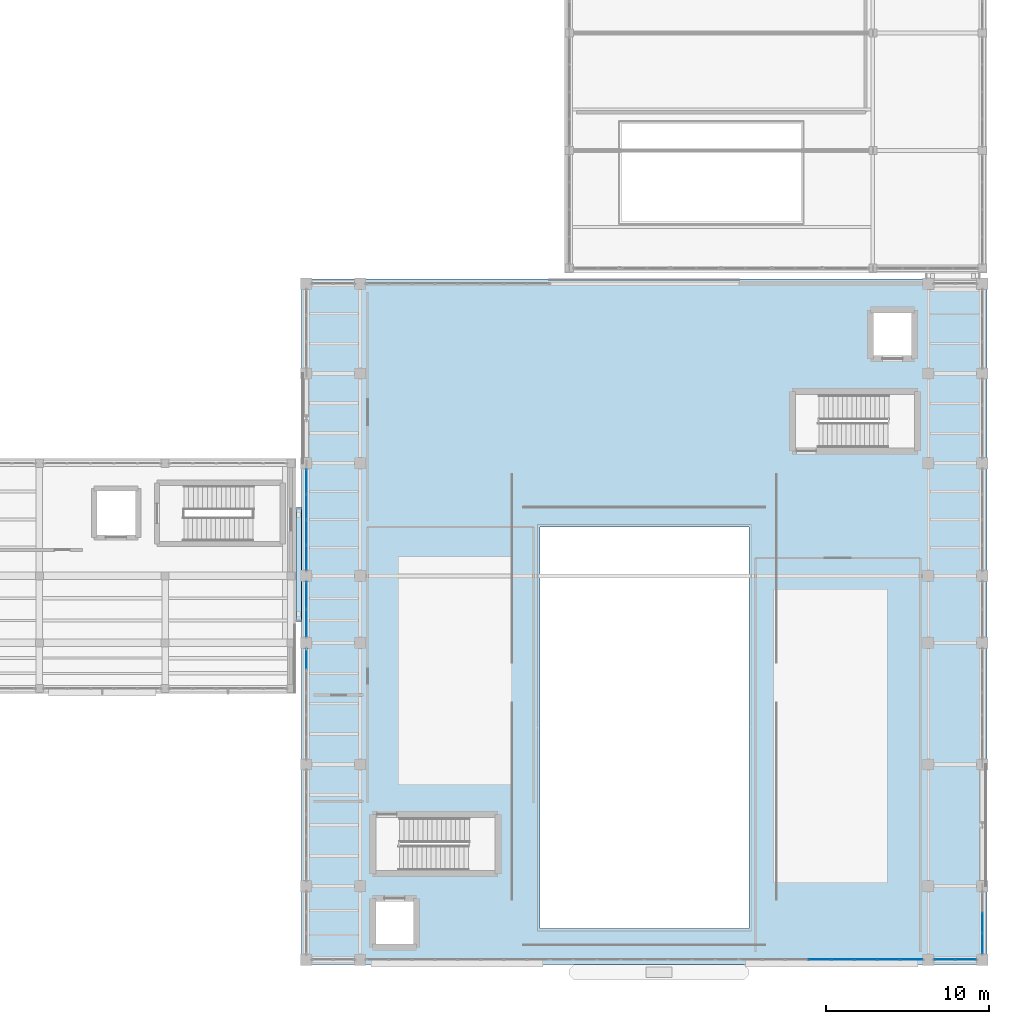
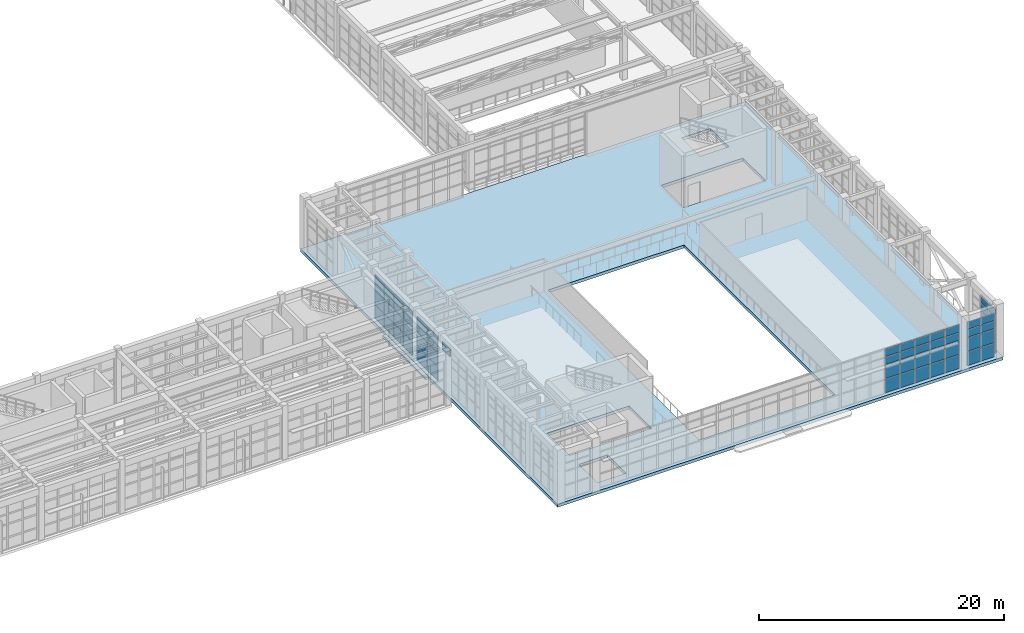
# One storey, part 75 of 103: 61 plates, 2 slabs, 6 elements without a shape of their own.
"""IFC4 building model written with IfcOpenShell, lengths in metres."""

from ifc_helpers import new_model, si_unit, direction, frame, origin, origin_2d, place, context, subcontext, project, spatial, polyline, rectangle, outline, extrude, material, layer, layer_set, type_object, element, aggregate, save


model = new_model("IFC4")

# Units and contexts
model_context = context("Model", 3, precision=1e-05, world=origin(), true_north=direction((0.0, 1.0)))
body_context = subcontext(model_context, "Body", "Model", "MODEL_VIEW")
ifc_project = project(units=[si_unit("LENGTHUNIT", "METRE"), si_unit("AREAUNIT", "SQUARE_METRE"), si_unit("VOLUMEUNIT", "CUBIC_METRE"), si_unit("PLANEANGLEUNIT", "RADIAN"), si_unit("MASSUNIT", "GRAM", prefix="KILO")], contexts=[model_context])

# Site, building, storey
site_placement = place(None, origin())
site = spatial("IfcSite", under=ifc_project, at=site_placement, CompositionType="ELEMENT")
building_placement = place(site_placement, origin())
building = spatial("IfcBuilding", under=site, at=building_placement, Name="Candilejo Ridge Gondola Terminal", CompositionType="ELEMENT")
storey_placement = place(building_placement, frame((0.0, 0.0, 9.0)))
storey = spatial("IfcBuildingStorey", under=building, at=storey_placement, Name="L02", CompositionType="ELEMENT", Elevation=9.0)

# Curtain wall, plates
ifc_material_1 = material(Name="Anodised aluminium AA 6063-T6", Category="aluminium")
ifc_layer_1 = layer(ifc_material_1, 0.169921875)
ifc_layer_set_1 = layer_set([ifc_layer_1], Name="ARC-CW-HALL-3800-385X449")
curtain_wall_type_1 = type_object("IfcCurtainWallType", Name="ARC-CW-HALL-3800-385X449", PredefinedType="NOTDEFINED", material=ifc_layer_set_1)
curtain_wall_1_placement = place(storey_placement, origin())
curtain_wall_1 = element("IfcCurtainWall", 1, at=curtain_wall_1_placement, inside=storey, type_object=curtain_wall_type_1, Name="Curtain wall V4 L02-133", PredefinedType="NOTDEFINED")
ifc_material_2 = material(Name="Low-E laminated double glazing 6+12A+6+1.52PVB+6 mm", Category="glass")
ifc_layer_2 = layer(ifc_material_2, 0.028076171875)
ifc_layer_set_2 = layer_set([ifc_layer_2], Name="ARC-CW-GLAZ-PANEL")
plate_type = type_object("IfcPlateType", Name="ARC-CW-GLAZ-PANEL", PredefinedType="CURTAIN_PANEL", material=ifc_layer_set_2)
plate_1_placement = place(storey_placement, frame((175.300048828125, 7.282958984375, 0.06005859375), z_axis=(0.0, 0.0, 1.0), x_axis=(0.0, 1.0, 0.0)))
plate_1 = element("IfcPlate", 2, at=plate_1_placement, type_object=plate_type, Name="CW-38X44 panel 1.1", PredefinedType="CURTAIN_PANEL", context=body_context, shape_type="SweptSolid", body=[
    extrude(rectangle(XDim=1.185791015625, YDim=0.028076171875, at=origin_2d()), origin(), (0.0, 0.0, 1.0), 1.360107421875),
])
plate_2_placement = place(storey_placement, frame((175.300048828125, 7.282958984375, 1.47998046875), z_axis=(0.0, 0.0, 1.0), x_axis=(0.0, 1.0, 0.0)))
plate_2 = element("IfcPlate", 3, at=plate_2_placement, type_object=plate_type, Name="CW-38X44 panel 1.2", PredefinedType="CURTAIN_PANEL", context=body_context, shape_type="SweptSolid", body=[
    extrude(rectangle(XDim=1.185791015625, YDim=0.028076171875, at=origin_2d()), origin(), (0.0, 0.0, 1.0), 1.340087890625),
])
plate_3_placement = place(storey_placement, frame((175.300048828125, 7.282958984375, 2.8798828125), z_axis=(0.0, 0.0, 1.0), x_axis=(0.0, 1.0, 0.0)))
plate_3 = element("IfcPlate", 4, at=plate_3_placement, type_object=plate_type, Name="CW-38X44 panel 1.3", PredefinedType="CURTAIN_PANEL", context=body_context, shape_type="SweptSolid", body=[
    extrude(rectangle(XDim=1.185791015625, YDim=0.028076171875, at=origin_2d()), origin(), (0.0, 0.0, 1.0), 0.739990234375),
])
plate_4_placement = place(storey_placement, frame((175.300048828125, 7.282958984375, 3.679931640625), z_axis=(0.0, 0.0, 1.0), x_axis=(0.0, 1.0, 0.0)))
plate_4 = element("IfcPlate", 5, at=plate_4_placement, type_object=plate_type, Name="CW-38X44 panel 1.4", PredefinedType="CURTAIN_PANEL", context=body_context, shape_type="SweptSolid", body=[
    extrude(rectangle(XDim=1.185791015625, YDim=0.028076171875, at=origin_2d()), origin(), (0.0, 0.0, 1.0), 0.75),
])
plate_5_placement = place(storey_placement, frame((175.300048828125, 8.550048828125, 0.06005859375), z_axis=(0.0, 0.0, 1.0), x_axis=(0.0, 1.0, 0.0)))
plate_5 = element("IfcPlate", 6, at=plate_5_placement, type_object=plate_type, Name="CW-38X44 panel 2.1", PredefinedType="CURTAIN_PANEL", context=body_context, shape_type="SweptSolid", body=[
    extrude(rectangle(XDim=1.21826171875, YDim=0.028076171875, at=origin_2d()), origin(), (0.0, 0.0, 1.0), 1.360107421875),
])
plate_6_placement = place(storey_placement, frame((175.300048828125, 8.550048828125, 1.47998046875), z_axis=(0.0, 0.0, 1.0), x_axis=(0.0, 1.0, 0.0)))
plate_6 = element("IfcPlate", 7, at=plate_6_placement, type_object=plate_type, Name="CW-38X44 panel 2.2", PredefinedType="CURTAIN_PANEL", context=body_context, shape_type="SweptSolid", body=[
    extrude(rectangle(XDim=1.21826171875, YDim=0.028076171875, at=origin_2d()), origin(), (0.0, 0.0, 1.0), 1.340087890625),
])
plate_7_placement = place(storey_placement, frame((175.300048828125, 8.550048828125, 2.8798828125), z_axis=(0.0, 0.0, 1.0), x_axis=(0.0, 1.0, 0.0)))
plate_7 = element("IfcPlate", 8, at=plate_7_placement, type_object=plate_type, Name="CW-38X44 panel 2.3", PredefinedType="CURTAIN_PANEL", context=body_context, shape_type="SweptSolid", body=[
    extrude(rectangle(XDim=1.21826171875, YDim=0.028076171875, at=origin_2d()), origin(), (0.0, 0.0, 1.0), 0.739990234375),
])
plate_8_placement = place(storey_placement, frame((175.300048828125, 8.550048828125, 3.679931640625), z_axis=(0.0, 0.0, 1.0), x_axis=(0.0, 1.0, 0.0)))
plate_8 = element("IfcPlate", 9, at=plate_8_placement, type_object=plate_type, Name="CW-38X44 panel 2.4", PredefinedType="CURTAIN_PANEL", context=body_context, shape_type="SweptSolid", body=[
    extrude(rectangle(XDim=1.21826171875, YDim=0.028076171875, at=origin_2d()), origin(), (0.0, 0.0, 1.0), 0.75),
])
aggregate(curtain_wall_1, [plate_1, plate_2, plate_3, plate_4, plate_5, plate_6, plate_7, plate_8])

# Curtain wall, plate
ifc_material_3 = material(Name="Anodised aluminium AA 6063-T6", Category="aluminium")
ifc_layer_3 = layer(ifc_material_3, 0.169921875)
ifc_layer_set_3 = layer_set([ifc_layer_3], Name="ARC-CW-HALL-3800-680X449")
curtain_wall_type_2 = type_object("IfcCurtainWallType", Name="ARC-CW-HALL-3800-680X449", PredefinedType="NOTDEFINED", material=ifc_layer_set_3)
curtain_wall_2_placement = place(storey_placement, origin())
curtain_wall_2 = element("IfcCurtainWall", 10, at=curtain_wall_2_placement, inside=storey, type_object=curtain_wall_type_2, Name="Curtain wall V4 L02-135", PredefinedType="NOTDEFINED")
plate_9_placement = place(storey_placement, frame((133.89990234375, 24.6787109375, 3.679931640625), z_axis=(0.0, 0.0, 1.0), x_axis=(0.0, 1.0, 0.0)))
plate_9 = element("IfcPlate", 11, at=plate_9_placement, type_object=plate_type, Name="CW-68X44 panel 5.4", PredefinedType="CURTAIN_PANEL", context=body_context, shape_type="SweptSolid", body=[
    extrude(rectangle(XDim=1.262451171875, YDim=0.028076171875, at=origin_2d()), origin(), (0.0, 0.0, 1.0), 0.75),
])
aggregate(curtain_wall_2, [plate_9])

# Curtain wall, plates
ifc_material_4 = material(Name="Anodised aluminium AA 6063-T6", Category="aluminium")
ifc_layer_4 = layer(ifc_material_4, 0.169921875)
ifc_layer_set_4 = layer_set([ifc_layer_4], Name="ARC-CW-HALL-3800-345X449")
curtain_wall_type_3 = type_object("IfcCurtainWallType", Name="ARC-CW-HALL-3800-345X449", PredefinedType="NOTDEFINED", material=ifc_layer_set_4)
curtain_wall_3_placement = place(storey_placement, origin())
curtain_wall_3 = element("IfcCurtainWall", 12, at=curtain_wall_3_placement, inside=storey, type_object=curtain_wall_type_3, Name="Curtain wall V4 L02-137", PredefinedType="NOTDEFINED")
plate_10_placement = place(storey_placement, frame((133.89990234375, 26.90380859375, 0.06005859375), z_axis=(0.0, 0.0, 1.0), x_axis=(0.0, 1.0, 0.0)))
plate_10 = element("IfcPlate", 13, at=plate_10_placement, type_object=plate_type, Name="CW-34X44 panel 1.1", PredefinedType="CURTAIN_PANEL", context=body_context, shape_type="SweptSolid", body=[
    extrude(rectangle(XDim=1.62744140625, YDim=0.028076171875, at=origin_2d()), origin(), (0.0, 0.0, 1.0), 1.360107421875),
])
plate_11_placement = place(storey_placement, frame((133.89990234375, 26.90380859375, 1.47998046875), z_axis=(0.0, 0.0, 1.0), x_axis=(0.0, 1.0, 0.0)))
plate_11 = element("IfcPlate", 14, at=plate_11_placement, type_object=plate_type, Name="CW-34X44 panel 1.2", PredefinedType="CURTAIN_PANEL", context=body_context, shape_type="SweptSolid", body=[
    extrude(rectangle(XDim=1.62744140625, YDim=0.028076171875, at=origin_2d()), origin(), (0.0, 0.0, 1.0), 1.340087890625),
])
plate_12_placement = place(storey_placement, frame((133.89990234375, 26.90380859375, 2.8798828125), z_axis=(0.0, 0.0, 1.0), x_axis=(0.0, 1.0, 0.0)))
plate_12 = element("IfcPlate", 15, at=plate_12_placement, type_object=plate_type, Name="CW-34X44 panel 1.3", PredefinedType="CURTAIN_PANEL", context=body_context, shape_type="SweptSolid", body=[
    extrude(rectangle(XDim=1.62744140625, YDim=0.028076171875, at=origin_2d()), origin(), (0.0, 0.0, 1.0), 0.739990234375),
])
plate_13_placement = place(storey_placement, frame((133.89990234375, 26.90380859375, 3.679931640625), z_axis=(0.0, 0.0, 1.0), x_axis=(0.0, 1.0, 0.0)))
plate_13 = element("IfcPlate", 16, at=plate_13_placement, type_object=plate_type, Name="CW-34X44 panel 1.4", PredefinedType="CURTAIN_PANEL", context=body_context, shape_type="SweptSolid", body=[
    extrude(rectangle(XDim=1.62744140625, YDim=0.028076171875, at=origin_2d()), origin(), (0.0, 0.0, 1.0), 0.75),
])
plate_14_placement = place(storey_placement, frame((133.89990234375, 28.59619140625, 0.06005859375), z_axis=(0.0, 0.0, 1.0), x_axis=(0.0, 1.0, 0.0)))
plate_14 = element("IfcPlate", 17, at=plate_14_placement, type_object=plate_type, Name="CW-34X44 panel 2.1", PredefinedType="CURTAIN_PANEL", context=body_context, shape_type="SweptSolid", body=[
    extrude(rectangle(XDim=1.62744140625, YDim=0.028076171875, at=origin_2d()), origin(), (0.0, 0.0, 1.0), 1.360107421875),
])
plate_15_placement = place(storey_placement, frame((133.89990234375, 28.59619140625, 1.47998046875), z_axis=(0.0, 0.0, 1.0), x_axis=(0.0, 1.0, 0.0)))
plate_15 = element("IfcPlate", 18, at=plate_15_placement, type_object=plate_type, Name="CW-34X44 panel 2.2", PredefinedType="CURTAIN_PANEL", context=body_context, shape_type="SweptSolid", body=[
    extrude(rectangle(XDim=1.62744140625, YDim=0.028076171875, at=origin_2d()), origin(), (0.0, 0.0, 1.0), 1.340087890625),
])
plate_16_placement = place(storey_placement, frame((133.89990234375, 28.59619140625, 2.8798828125), z_axis=(0.0, 0.0, 1.0), x_axis=(0.0, 1.0, 0.0)))
plate_16 = element("IfcPlate", 19, at=plate_16_placement, type_object=plate_type, Name="CW-34X44 panel 2.3", PredefinedType="CURTAIN_PANEL", context=body_context, shape_type="SweptSolid", body=[
    extrude(rectangle(XDim=1.62744140625, YDim=0.028076171875, at=origin_2d()), origin(), (0.0, 0.0, 1.0), 0.739990234375),
])
plate_17_placement = place(storey_placement, frame((133.89990234375, 28.59619140625, 3.679931640625), z_axis=(0.0, 0.0, 1.0), x_axis=(0.0, 1.0, 0.0)))
plate_17 = element("IfcPlate", 20, at=plate_17_placement, type_object=plate_type, Name="CW-34X44 panel 2.4", PredefinedType="CURTAIN_PANEL", context=body_context, shape_type="SweptSolid", body=[
    extrude(rectangle(XDim=1.62744140625, YDim=0.028076171875, at=origin_2d()), origin(), (0.0, 0.0, 1.0), 0.75),
])
aggregate(curtain_wall_3, [plate_10, plate_11, plate_12, plate_13, plate_14, plate_15, plate_16, plate_17])

ifc_material_5 = material(Name="Anodised aluminium AA 6063-T6", Category="aluminium")
ifc_layer_5 = layer(ifc_material_5, 0.169921875)
ifc_layer_set_5 = layer_set([ifc_layer_5], Name="ARC-CW-HALL-3800-625X449")
curtain_wall_type_4 = type_object("IfcCurtainWallType", Name="ARC-CW-HALL-3800-625X449", PredefinedType="NOTDEFINED", material=ifc_layer_set_5)
curtain_wall_4_placement = place(storey_placement, origin())
curtain_wall_4 = element("IfcCurtainWall", 21, at=curtain_wall_4_placement, inside=storey, type_object=curtain_wall_type_4, Name="Curtain wall V4 L02-139", PredefinedType="NOTDEFINED")
plate_18_placement = place(storey_placement, frame((133.89990234375, 30.922607421875, 0.06005859375), z_axis=(0.0, 0.0, 1.0), x_axis=(0.0, 1.0, 0.0)))
plate_18 = element("IfcPlate", 22, at=plate_18_placement, type_object=plate_type, Name="CW-62X44 panel 1.1", PredefinedType="CURTAIN_PANEL", context=body_context, shape_type="SweptSolid", body=[
    extrude(rectangle(XDim=1.465087890625, YDim=0.028076171875, at=origin_2d()), origin(), (0.0, 0.0, 1.0), 1.360107421875),
])
plate_19_placement = place(storey_placement, frame((133.89990234375, 30.922607421875, 1.47998046875), z_axis=(0.0, 0.0, 1.0), x_axis=(0.0, 1.0, 0.0)))
plate_19 = element("IfcPlate", 23, at=plate_19_placement, type_object=plate_type, Name="CW-62X44 panel 1.2", PredefinedType="CURTAIN_PANEL", context=body_context, shape_type="SweptSolid", body=[
    extrude(rectangle(XDim=1.465087890625, YDim=0.028076171875, at=origin_2d()), origin(), (0.0, 0.0, 1.0), 1.340087890625),
])
plate_20_placement = place(storey_placement, frame((133.89990234375, 30.922607421875, 2.8798828125), z_axis=(0.0, 0.0, 1.0), x_axis=(0.0, 1.0, 0.0)))
plate_20 = element("IfcPlate", 24, at=plate_20_placement, type_object=plate_type, Name="CW-62X44 panel 1.3", PredefinedType="CURTAIN_PANEL", context=body_context, shape_type="SweptSolid", body=[
    extrude(rectangle(XDim=1.465087890625, YDim=0.028076171875, at=origin_2d()), origin(), (0.0, 0.0, 1.0), 0.739990234375),
])
plate_21_placement = place(storey_placement, frame((133.89990234375, 30.922607421875, 3.679931640625), z_axis=(0.0, 0.0, 1.0), x_axis=(0.0, 1.0, 0.0)))
plate_21 = element("IfcPlate", 25, at=plate_21_placement, type_object=plate_type, Name="CW-62X44 panel 1.4", PredefinedType="CURTAIN_PANEL", context=body_context, shape_type="SweptSolid", body=[
    extrude(rectangle(XDim=1.465087890625, YDim=0.028076171875, at=origin_2d()), origin(), (0.0, 0.0, 1.0), 0.75),
])
plate_22_placement = place(storey_placement, frame((133.89990234375, 32.46875, 0.06005859375), z_axis=(0.0, 0.0, 1.0), x_axis=(0.0, 1.0, 0.0)))
plate_22 = element("IfcPlate", 26, at=plate_22_placement, type_object=plate_type, Name="CW-62X44 panel 2.1", PredefinedType="CURTAIN_PANEL", context=body_context, shape_type="SweptSolid", body=[
    extrude(rectangle(XDim=1.49755859375, YDim=0.028076171875, at=origin_2d()), origin(), (0.0, 0.0, 1.0), 1.360107421875),
])
plate_23_placement = place(storey_placement, frame((133.89990234375, 32.46875, 1.47998046875), z_axis=(0.0, 0.0, 1.0), x_axis=(0.0, 1.0, 0.0)))
plate_23 = element("IfcPlate", 27, at=plate_23_placement, type_object=plate_type, Name="CW-62X44 panel 2.2", PredefinedType="CURTAIN_PANEL", context=body_context, shape_type="SweptSolid", body=[
    extrude(rectangle(XDim=1.49755859375, YDim=0.028076171875, at=origin_2d()), origin(), (0.0, 0.0, 1.0), 1.340087890625),
])
plate_24_placement = place(storey_placement, frame((133.89990234375, 32.46875, 2.8798828125), z_axis=(0.0, 0.0, 1.0), x_axis=(0.0, 1.0, 0.0)))
plate_24 = element("IfcPlate", 28, at=plate_24_placement, type_object=plate_type, Name="CW-62X44 panel 2.3", PredefinedType="CURTAIN_PANEL", context=body_context, shape_type="SweptSolid", body=[
    extrude(rectangle(XDim=1.49755859375, YDim=0.028076171875, at=origin_2d()), origin(), (0.0, 0.0, 1.0), 0.739990234375),
])
plate_25_placement = place(storey_placement, frame((133.89990234375, 32.46875, 3.679931640625), z_axis=(0.0, 0.0, 1.0), x_axis=(0.0, 1.0, 0.0)))
plate_25 = element("IfcPlate", 29, at=plate_25_placement, type_object=plate_type, Name="CW-62X44 panel 2.4", PredefinedType="CURTAIN_PANEL", context=body_context, shape_type="SweptSolid", body=[
    extrude(rectangle(XDim=1.49755859375, YDim=0.028076171875, at=origin_2d()), origin(), (0.0, 0.0, 1.0), 0.75),
])
plate_26_placement = place(storey_placement, frame((133.89990234375, 34.03125, 0.06005859375), z_axis=(0.0, 0.0, 1.0), x_axis=(0.0, 1.0, 0.0)))
plate_26 = element("IfcPlate", 30, at=plate_26_placement, type_object=plate_type, Name="CW-62X44 panel 3.1", PredefinedType="CURTAIN_PANEL", context=body_context, shape_type="SweptSolid", body=[
    extrude(rectangle(XDim=1.49755859375, YDim=0.028076171875, at=origin_2d()), origin(), (0.0, 0.0, 1.0), 1.360107421875),
])
plate_27_placement = place(storey_placement, frame((133.89990234375, 34.03125, 1.47998046875), z_axis=(0.0, 0.0, 1.0), x_axis=(0.0, 1.0, 0.0)))
plate_27 = element("IfcPlate", 31, at=plate_27_placement, type_object=plate_type, Name="CW-62X44 panel 3.2", PredefinedType="CURTAIN_PANEL", context=body_context, shape_type="SweptSolid", body=[
    extrude(rectangle(XDim=1.49755859375, YDim=0.028076171875, at=origin_2d()), origin(), (0.0, 0.0, 1.0), 1.340087890625),
])
plate_28_placement = place(storey_placement, frame((133.89990234375, 34.03125, 2.8798828125), z_axis=(0.0, 0.0, 1.0), x_axis=(0.0, 1.0, 0.0)))
plate_28 = element("IfcPlate", 32, at=plate_28_placement, type_object=plate_type, Name="CW-62X44 panel 3.3", PredefinedType="CURTAIN_PANEL", context=body_context, shape_type="SweptSolid", body=[
    extrude(rectangle(XDim=1.49755859375, YDim=0.028076171875, at=origin_2d()), origin(), (0.0, 0.0, 1.0), 0.739990234375),
])
plate_29_placement = place(storey_placement, frame((133.89990234375, 34.03125, 3.679931640625), z_axis=(0.0, 0.0, 1.0), x_axis=(0.0, 1.0, 0.0)))
plate_29 = element("IfcPlate", 33, at=plate_29_placement, type_object=plate_type, Name="CW-62X44 panel 3.4", PredefinedType="CURTAIN_PANEL", context=body_context, shape_type="SweptSolid", body=[
    extrude(rectangle(XDim=1.49755859375, YDim=0.028076171875, at=origin_2d()), origin(), (0.0, 0.0, 1.0), 0.75),
])
plate_30_placement = place(storey_placement, frame((133.89990234375, 35.577392578125, 0.06005859375), z_axis=(0.0, 0.0, 1.0), x_axis=(0.0, 1.0, 0.0)))
plate_30 = element("IfcPlate", 34, at=plate_30_placement, type_object=plate_type, Name="CW-62X44 panel 4.1", PredefinedType="CURTAIN_PANEL", context=body_context, shape_type="SweptSolid", body=[
    extrude(rectangle(XDim=1.465087890625, YDim=0.028076171875, at=origin_2d()), origin(), (0.0, 0.0, 1.0), 1.360107421875),
])
plate_31_placement = place(storey_placement, frame((133.89990234375, 35.577392578125, 1.47998046875), z_axis=(0.0, 0.0, 1.0), x_axis=(0.0, 1.0, 0.0)))
plate_31 = element("IfcPlate", 35, at=plate_31_placement, type_object=plate_type, Name="CW-62X44 panel 4.2", PredefinedType="CURTAIN_PANEL", context=body_context, shape_type="SweptSolid", body=[
    extrude(rectangle(XDim=1.465087890625, YDim=0.028076171875, at=origin_2d()), origin(), (0.0, 0.0, 1.0), 1.340087890625),
])
plate_32_placement = place(storey_placement, frame((133.89990234375, 35.577392578125, 2.8798828125), z_axis=(0.0, 0.0, 1.0), x_axis=(0.0, 1.0, 0.0)))
plate_32 = element("IfcPlate", 36, at=plate_32_placement, type_object=plate_type, Name="CW-62X44 panel 4.3", PredefinedType="CURTAIN_PANEL", context=body_context, shape_type="SweptSolid", body=[
    extrude(rectangle(XDim=1.465087890625, YDim=0.028076171875, at=origin_2d()), origin(), (0.0, 0.0, 1.0), 0.739990234375),
])
plate_33_placement = place(storey_placement, frame((133.89990234375, 35.577392578125, 3.679931640625), z_axis=(0.0, 0.0, 1.0), x_axis=(0.0, 1.0, 0.0)))
plate_33 = element("IfcPlate", 37, at=plate_33_placement, type_object=plate_type, Name="CW-62X44 panel 4.4", PredefinedType="CURTAIN_PANEL", context=body_context, shape_type="SweptSolid", body=[
    extrude(rectangle(XDim=1.465087890625, YDim=0.028076171875, at=origin_2d()), origin(), (0.0, 0.0, 1.0), 0.75),
])
aggregate(curtain_wall_4, [plate_18, plate_19, plate_20, plate_21, plate_22, plate_23, plate_24, plate_25, plate_26, plate_27, plate_28, plate_29, plate_30, plate_31, plate_32, plate_33])

ifc_material_6 = material(Name="Anodised aluminium AA 6063-T6", Category="aluminium")
ifc_layer_6 = layer(ifc_material_6, 0.169921875)
ifc_layer_set_6 = layer_set([ifc_layer_6], Name="ARC-CW-HALL-3800-265X449")
curtain_wall_type_5 = type_object("IfcCurtainWallType", Name="ARC-CW-HALL-3800-265X449", PredefinedType="NOTDEFINED", material=ifc_layer_set_6)
curtain_wall_5_placement = place(storey_placement, origin())
curtain_wall_5 = element("IfcCurtainWall", 38, at=curtain_wall_5_placement, inside=storey, type_object=curtain_wall_type_5, Name="Curtain wall V4 L02-145", PredefinedType="NOTDEFINED")
plate_34_placement = place(storey_placement, frame((173.003662109375, 6.300048828125, 0.06005859375), z_axis=(0.0, 0.0, 1.0), x_axis=(1.0, 0.0, 0.0)))
plate_34 = element("IfcPlate", 39, at=plate_34_placement, type_object=plate_type, Name="CW-26X44 panel 1.1", PredefinedType="CURTAIN_PANEL", context=body_context, shape_type="SweptSolid", body=[
    extrude(rectangle(XDim=1.2275390625, YDim=0.028076171875, at=origin_2d()), origin(), (0.0, 0.0, 1.0), 1.360107421875),
])
plate_35_placement = place(storey_placement, frame((173.003662109375, 6.300048828125, 1.47998046875), z_axis=(0.0, 0.0, 1.0), x_axis=(1.0, 0.0, 0.0)))
plate_35 = element("IfcPlate", 40, at=plate_35_placement, type_object=plate_type, Name="CW-26X44 panel 1.2", PredefinedType="CURTAIN_PANEL", context=body_context, shape_type="SweptSolid", body=[
    extrude(rectangle(XDim=1.2275390625, YDim=0.028076171875, at=origin_2d()), origin(), (0.0, 0.0, 1.0), 1.340087890625),
])
plate_36_placement = place(storey_placement, frame((173.003662109375, 6.300048828125, 2.8798828125), z_axis=(0.0, 0.0, 1.0), x_axis=(1.0, 0.0, 0.0)))
plate_36 = element("IfcPlate", 41, at=plate_36_placement, type_object=plate_type, Name="CW-26X44 panel 1.3", PredefinedType="CURTAIN_PANEL", context=body_context, shape_type="SweptSolid", body=[
    extrude(rectangle(XDim=1.2275390625, YDim=0.028076171875, at=origin_2d()), origin(), (0.0, 0.0, 1.0), 0.739990234375),
])
plate_37_placement = place(storey_placement, frame((173.003662109375, 6.300048828125, 3.679931640625), z_axis=(0.0, 0.0, 1.0), x_axis=(1.0, 0.0, 0.0)))
plate_37 = element("IfcPlate", 42, at=plate_37_placement, type_object=plate_type, Name="CW-26X44 panel 1.4", PredefinedType="CURTAIN_PANEL", context=body_context, shape_type="SweptSolid", body=[
    extrude(rectangle(XDim=1.2275390625, YDim=0.028076171875, at=origin_2d()), origin(), (0.0, 0.0, 1.0), 0.75),
])
plate_38_placement = place(storey_placement, frame((174.296142578125, 6.300048828125, 0.06005859375), z_axis=(0.0, 0.0, 1.0), x_axis=(1.0, 0.0, 0.0)))
plate_38 = element("IfcPlate", 43, at=plate_38_placement, type_object=plate_type, Name="CW-26X44 panel 2.1", PredefinedType="CURTAIN_PANEL", context=body_context, shape_type="SweptSolid", body=[
    extrude(rectangle(XDim=1.2275390625, YDim=0.028076171875, at=origin_2d()), origin(), (0.0, 0.0, 1.0), 1.360107421875),
])
plate_39_placement = place(storey_placement, frame((174.296142578125, 6.300048828125, 1.47998046875), z_axis=(0.0, 0.0, 1.0), x_axis=(1.0, 0.0, 0.0)))
plate_39 = element("IfcPlate", 44, at=plate_39_placement, type_object=plate_type, Name="CW-26X44 panel 2.2", PredefinedType="CURTAIN_PANEL", context=body_context, shape_type="SweptSolid", body=[
    extrude(rectangle(XDim=1.2275390625, YDim=0.028076171875, at=origin_2d()), origin(), (0.0, 0.0, 1.0), 1.340087890625),
])
plate_40_placement = place(storey_placement, frame((174.296142578125, 6.300048828125, 2.8798828125), z_axis=(0.0, 0.0, 1.0), x_axis=(1.0, 0.0, 0.0)))
plate_40 = element("IfcPlate", 45, at=plate_40_placement, type_object=plate_type, Name="CW-26X44 panel 2.3", PredefinedType="CURTAIN_PANEL", context=body_context, shape_type="SweptSolid", body=[
    extrude(rectangle(XDim=1.2275390625, YDim=0.028076171875, at=origin_2d()), origin(), (0.0, 0.0, 1.0), 0.739990234375),
])
plate_41_placement = place(storey_placement, frame((174.296142578125, 6.300048828125, 3.679931640625), z_axis=(0.0, 0.0, 1.0), x_axis=(1.0, 0.0, 0.0)))
plate_41 = element("IfcPlate", 46, at=plate_41_placement, type_object=plate_type, Name="CW-26X44 panel 2.4", PredefinedType="CURTAIN_PANEL", context=body_context, shape_type="SweptSolid", body=[
    extrude(rectangle(XDim=1.2275390625, YDim=0.028076171875, at=origin_2d()), origin(), (0.0, 0.0, 1.0), 0.75),
])
aggregate(curtain_wall_5, [plate_34, plate_35, plate_36, plate_37, plate_38, plate_39, plate_40, plate_41])

ifc_material_7 = material(Name="Anodised aluminium AA 6063-T6", Category="aluminium")
ifc_layer_7 = layer(ifc_material_7, 0.169921875)
ifc_layer_set_7 = layer_set([ifc_layer_7], Name="ARC-CW-HALL-3800-1128X449")
curtain_wall_type_6 = type_object("IfcCurtainWallType", Name="ARC-CW-HALL-3800-1128X449", PredefinedType="NOTDEFINED", material=ifc_layer_set_7)
curtain_wall_6_placement = place(storey_placement, origin())
curtain_wall_6 = element("IfcCurtainWall", 47, at=curtain_wall_6_placement, inside=storey, type_object=curtain_wall_type_6, Name="Curtain wall V4 L02-148", PredefinedType="NOTDEFINED")
plate_42_placement = place(storey_placement, frame((165.332763671875, 6.300048828125, 0.06005859375), z_axis=(0.0, 0.0, 1.0), x_axis=(1.0, 0.0, 0.0)))
plate_42 = element("IfcPlate", 48, at=plate_42_placement, type_object=plate_type, Name="CW-112X44 panel 4.1", PredefinedType="CURTAIN_PANEL", context=body_context, shape_type="SweptSolid", body=[
    extrude(rectangle(XDim=1.344482421875, YDim=0.028076171875, at=origin_2d()), origin(), (0.0, 0.0, 1.0), 1.360107421875),
])
plate_43_placement = place(storey_placement, frame((165.332763671875, 6.300048828125, 1.47998046875), z_axis=(0.0, 0.0, 1.0), x_axis=(1.0, 0.0, 0.0)))
plate_43 = element("IfcPlate", 49, at=plate_43_placement, type_object=plate_type, Name="CW-112X44 panel 4.2", PredefinedType="CURTAIN_PANEL", context=body_context, shape_type="SweptSolid", body=[
    extrude(rectangle(XDim=1.344482421875, YDim=0.028076171875, at=origin_2d()), origin(), (0.0, 0.0, 1.0), 1.340087890625),
])
plate_44_placement = place(storey_placement, frame((165.332763671875, 6.300048828125, 2.8798828125), z_axis=(0.0, 0.0, 1.0), x_axis=(1.0, 0.0, 0.0)))
plate_44 = element("IfcPlate", 50, at=plate_44_placement, type_object=plate_type, Name="CW-112X44 panel 4.3", PredefinedType="CURTAIN_PANEL", context=body_context, shape_type="SweptSolid", body=[
    extrude(rectangle(XDim=1.344482421875, YDim=0.028076171875, at=origin_2d()), origin(), (0.0, 0.0, 1.0), 0.739990234375),
])
plate_45_placement = place(storey_placement, frame((165.332763671875, 6.300048828125, 3.679931640625), z_axis=(0.0, 0.0, 1.0), x_axis=(1.0, 0.0, 0.0)))
plate_45 = element("IfcPlate", 51, at=plate_45_placement, type_object=plate_type, Name="CW-112X44 panel 4.4", PredefinedType="CURTAIN_PANEL", context=body_context, shape_type="SweptSolid", body=[
    extrude(rectangle(XDim=1.344482421875, YDim=0.028076171875, at=origin_2d()), origin(), (0.0, 0.0, 1.0), 0.75),
])
plate_46_placement = place(storey_placement, frame((166.7421875, 6.300048828125, 0.06005859375), z_axis=(0.0, 0.0, 1.0), x_axis=(1.0, 0.0, 0.0)))
plate_46 = element("IfcPlate", 52, at=plate_46_placement, type_object=plate_type, Name="CW-112X44 panel 5.1", PredefinedType="CURTAIN_PANEL", context=body_context, shape_type="SweptSolid", body=[
    extrude(rectangle(XDim=1.344482421875, YDim=0.028076171875, at=origin_2d()), origin(), (0.0, 0.0, 1.0), 1.360107421875),
])
plate_47_placement = place(storey_placement, frame((166.7421875, 6.300048828125, 1.47998046875), z_axis=(0.0, 0.0, 1.0), x_axis=(1.0, 0.0, 0.0)))
plate_47 = element("IfcPlate", 53, at=plate_47_placement, type_object=plate_type, Name="CW-112X44 panel 5.2", PredefinedType="CURTAIN_PANEL", context=body_context, shape_type="SweptSolid", body=[
    extrude(rectangle(XDim=1.344482421875, YDim=0.028076171875, at=origin_2d()), origin(), (0.0, 0.0, 1.0), 1.340087890625),
])
plate_48_placement = place(storey_placement, frame((166.7421875, 6.300048828125, 2.8798828125), z_axis=(0.0, 0.0, 1.0), x_axis=(1.0, 0.0, 0.0)))
plate_48 = element("IfcPlate", 54, at=plate_48_placement, type_object=plate_type, Name="CW-112X44 panel 5.3", PredefinedType="CURTAIN_PANEL", context=body_context, shape_type="SweptSolid", body=[
    extrude(rectangle(XDim=1.344482421875, YDim=0.028076171875, at=origin_2d()), origin(), (0.0, 0.0, 1.0), 0.739990234375),
])
plate_49_placement = place(storey_placement, frame((166.7421875, 6.300048828125, 3.679931640625), z_axis=(0.0, 0.0, 1.0), x_axis=(1.0, 0.0, 0.0)))
plate_49 = element("IfcPlate", 55, at=plate_49_placement, type_object=plate_type, Name="CW-112X44 panel 5.4", PredefinedType="CURTAIN_PANEL", context=body_context, shape_type="SweptSolid", body=[
    extrude(rectangle(XDim=1.344482421875, YDim=0.028076171875, at=origin_2d()), origin(), (0.0, 0.0, 1.0), 0.75),
])
plate_50_placement = place(storey_placement, frame((168.151611328125, 6.300048828125, 0.06005859375), z_axis=(0.0, 0.0, 1.0), x_axis=(1.0, 0.0, 0.0)))
plate_50 = element("IfcPlate", 56, at=plate_50_placement, type_object=plate_type, Name="CW-112X44 panel 6.1", PredefinedType="CURTAIN_PANEL", context=body_context, shape_type="SweptSolid", body=[
    extrude(rectangle(XDim=1.344482421875, YDim=0.028076171875, at=origin_2d()), origin(), (0.0, 0.0, 1.0), 1.360107421875),
])
plate_51_placement = place(storey_placement, frame((168.151611328125, 6.300048828125, 1.47998046875), z_axis=(0.0, 0.0, 1.0), x_axis=(1.0, 0.0, 0.0)))
plate_51 = element("IfcPlate", 57, at=plate_51_placement, type_object=plate_type, Name="CW-112X44 panel 6.2", PredefinedType="CURTAIN_PANEL", context=body_context, shape_type="SweptSolid", body=[
    extrude(rectangle(XDim=1.344482421875, YDim=0.028076171875, at=origin_2d()), origin(), (0.0, 0.0, 1.0), 1.340087890625),
])
plate_52_placement = place(storey_placement, frame((168.151611328125, 6.300048828125, 2.8798828125), z_axis=(0.0, 0.0, 1.0), x_axis=(1.0, 0.0, 0.0)))
plate_52 = element("IfcPlate", 58, at=plate_52_placement, type_object=plate_type, Name="CW-112X44 panel 6.3", PredefinedType="CURTAIN_PANEL", context=body_context, shape_type="SweptSolid", body=[
    extrude(rectangle(XDim=1.344482421875, YDim=0.028076171875, at=origin_2d()), origin(), (0.0, 0.0, 1.0), 0.739990234375),
])
plate_53_placement = place(storey_placement, frame((168.151611328125, 6.300048828125, 3.679931640625), z_axis=(0.0, 0.0, 1.0), x_axis=(1.0, 0.0, 0.0)))
plate_53 = element("IfcPlate", 59, at=plate_53_placement, type_object=plate_type, Name="CW-112X44 panel 6.4", PredefinedType="CURTAIN_PANEL", context=body_context, shape_type="SweptSolid", body=[
    extrude(rectangle(XDim=1.344482421875, YDim=0.028076171875, at=origin_2d()), origin(), (0.0, 0.0, 1.0), 0.75),
])
plate_54_placement = place(storey_placement, frame((169.56103515625, 6.300048828125, 0.06005859375), z_axis=(0.0, 0.0, 1.0), x_axis=(1.0, 0.0, 0.0)))
plate_54 = element("IfcPlate", 60, at=plate_54_placement, type_object=plate_type, Name="CW-112X44 panel 7.1", PredefinedType="CURTAIN_PANEL", context=body_context, shape_type="SweptSolid", body=[
    extrude(rectangle(XDim=1.344482421875, YDim=0.028076171875, at=origin_2d()), origin(), (0.0, 0.0, 1.0), 1.360107421875),
])
plate_55_placement = place(storey_placement, frame((169.56103515625, 6.300048828125, 1.47998046875), z_axis=(0.0, 0.0, 1.0), x_axis=(1.0, 0.0, 0.0)))
plate_55 = element("IfcPlate", 61, at=plate_55_placement, type_object=plate_type, Name="CW-112X44 panel 7.2", PredefinedType="CURTAIN_PANEL", context=body_context, shape_type="SweptSolid", body=[
    extrude(rectangle(XDim=1.344482421875, YDim=0.028076171875, at=origin_2d()), origin(), (0.0, 0.0, 1.0), 1.340087890625),
])
plate_56_placement = place(storey_placement, frame((169.56103515625, 6.300048828125, 2.8798828125), z_axis=(0.0, 0.0, 1.0), x_axis=(1.0, 0.0, 0.0)))
plate_56 = element("IfcPlate", 62, at=plate_56_placement, type_object=plate_type, Name="CW-112X44 panel 7.3", PredefinedType="CURTAIN_PANEL", context=body_context, shape_type="SweptSolid", body=[
    extrude(rectangle(XDim=1.344482421875, YDim=0.028076171875, at=origin_2d()), origin(), (0.0, 0.0, 1.0), 0.739990234375),
])
plate_57_placement = place(storey_placement, frame((169.56103515625, 6.300048828125, 3.679931640625), z_axis=(0.0, 0.0, 1.0), x_axis=(1.0, 0.0, 0.0)))
plate_57 = element("IfcPlate", 63, at=plate_57_placement, type_object=plate_type, Name="CW-112X44 panel 7.4", PredefinedType="CURTAIN_PANEL", context=body_context, shape_type="SweptSolid", body=[
    extrude(rectangle(XDim=1.344482421875, YDim=0.028076171875, at=origin_2d()), origin(), (0.0, 0.0, 1.0), 0.75),
])
plate_58_placement = place(storey_placement, frame((170.9541015625, 6.300048828125, 0.06005859375), z_axis=(0.0, 0.0, 1.0), x_axis=(1.0, 0.0, 0.0)))
plate_58 = element("IfcPlate", 64, at=plate_58_placement, type_object=plate_type, Name="CW-112X44 panel 8.1", PredefinedType="CURTAIN_PANEL", context=body_context, shape_type="SweptSolid", body=[
    extrude(rectangle(XDim=1.311767578125, YDim=0.028076171875, at=origin_2d()), origin(), (0.0, 0.0, 1.0), 1.360107421875),
])
plate_59_placement = place(storey_placement, frame((170.9541015625, 6.300048828125, 1.47998046875), z_axis=(0.0, 0.0, 1.0), x_axis=(1.0, 0.0, 0.0)))
plate_59 = element("IfcPlate", 65, at=plate_59_placement, type_object=plate_type, Name="CW-112X44 panel 8.2", PredefinedType="CURTAIN_PANEL", context=body_context, shape_type="SweptSolid", body=[
    extrude(rectangle(XDim=1.311767578125, YDim=0.028076171875, at=origin_2d()), origin(), (0.0, 0.0, 1.0), 1.340087890625),
])
plate_60_placement = place(storey_placement, frame((170.9541015625, 6.300048828125, 2.8798828125), z_axis=(0.0, 0.0, 1.0), x_axis=(1.0, 0.0, 0.0)))
plate_60 = element("IfcPlate", 66, at=plate_60_placement, type_object=plate_type, Name="CW-112X44 panel 8.3", PredefinedType="CURTAIN_PANEL", context=body_context, shape_type="SweptSolid", body=[
    extrude(rectangle(XDim=1.311767578125, YDim=0.028076171875, at=origin_2d()), origin(), (0.0, 0.0, 1.0), 0.739990234375),
])
plate_61_placement = place(storey_placement, frame((170.9541015625, 6.300048828125, 3.679931640625), z_axis=(0.0, 0.0, 1.0), x_axis=(1.0, 0.0, 0.0)))
plate_61 = element("IfcPlate", 67, at=plate_61_placement, type_object=plate_type, Name="CW-112X44 panel 8.4", PredefinedType="CURTAIN_PANEL", context=body_context, shape_type="SweptSolid", body=[
    extrude(rectangle(XDim=1.311767578125, YDim=0.028076171875, at=origin_2d()), origin(), (0.0, 0.0, 1.0), 0.75),
])
aggregate(curtain_wall_6, [plate_42, plate_43, plate_44, plate_45, plate_46, plate_47, plate_48, plate_49, plate_50, plate_51, plate_52, plate_53, plate_54, plate_55, plate_56, plate_57, plate_58, plate_59, plate_60, plate_61])

# Slabs
ifc_material_8 = material(Name="Concrete f'c 35 MPa (C35/45)", Category="concrete")
ifc_layer_8 = layer(ifc_material_8, 0.219970703125)
ifc_layer_set_8 = layer_set([ifc_layer_8], Name="STR-BRIDGE-SLAB-220")
slab_type_1 = type_object("IfcSlabType", Name="STR-BRIDGE-SLAB-220", PredefinedType="FLOOR", material=ifc_layer_set_8)
slab_1_placement = place(storey_placement, frame((0.0, 0.0, -0.219970703125)))
element("IfcSlab", 68, at=slab_1_placement, inside=storey, type_object=slab_type_1, Name="Slab SLB-LB-SJ3-L02", PredefinedType="FLOOR", context=body_context, shape_type="SweptSolid", body=[
    extrude(outline(polyline([(133.25, 27.0), (133.60009765625, 27.0), (133.60009765625, 34.0), (133.25, 34.0), (133.25, 27.0)])), origin(), (0.0, 0.0, 1.0), 0.219970703125),
])
ifc_material_9 = material(Name="Concrete f'c 35 MPa (C35/45)", Category="concrete")
ifc_layer_9 = layer(ifc_material_9, 0.300048828125)
ifc_layer_set_9 = layer_set([ifc_layer_9], Name="STR-FLOOR-SLAB-300")
slab_type_2 = type_object("IfcSlabType", Name="STR-FLOOR-SLAB-300", PredefinedType="FLOOR", material=ifc_layer_set_9)
slab_2_placement = place(storey_placement, frame((0.0, 0.0, -0.300048828125)))
element("IfcSlab", 69, at=slab_2_placement, inside=storey, type_object=slab_type_2, Name="Slab SLB-V4-L02-MAIN", PredefinedType="FLOOR", context=body_context, shape_type="SweptSolid", body=[
    extrude(outline(polyline([(133.60009765625, 6.0), (175.60009765625, 6.0), (175.60009765625, 48.0), (133.60009765625, 48.0), (133.60009765625, 6.0)]), holes=[polyline([(137.949951171875, 11.550048828125), (145.64990234375, 11.550048828125), (145.64990234375, 15.199951171875), (137.949951171875, 15.199951171875), (137.949951171875, 11.550048828125)]), polyline([(137.949951171875, 7.050048828125), (140.64990234375, 7.050048828125), (140.64990234375, 10.050048828125), (137.949951171875, 10.050048828125), (137.949951171875, 7.050048828125)]), polyline([(163.64990234375, 37.449951171875), (171.35009765625, 37.449951171875), (171.35009765625, 41.10009765625), (163.64990234375, 41.10009765625), (163.64990234375, 37.449951171875)]), polyline([(168.449951171875, 43.10009765625), (171.14990234375, 43.10009765625), (171.14990234375, 46.10009765625), (168.449951171875, 46.10009765625), (168.449951171875, 43.10009765625)]), polyline([(148.199951171875, 8.199951171875), (161.0, 8.199951171875), (161.0, 32.800048828125), (148.199951171875, 32.800048828125), (148.199951171875, 8.199951171875)])]), origin(), (0.0, 0.0, 1.0), 0.300048828125),
])

save(model, "model.ifc")
